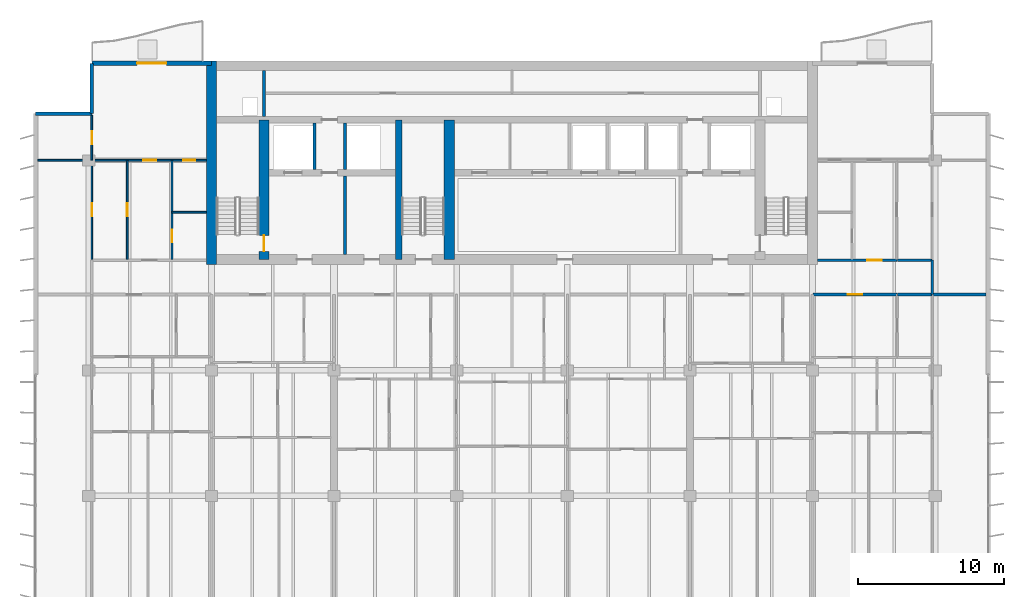
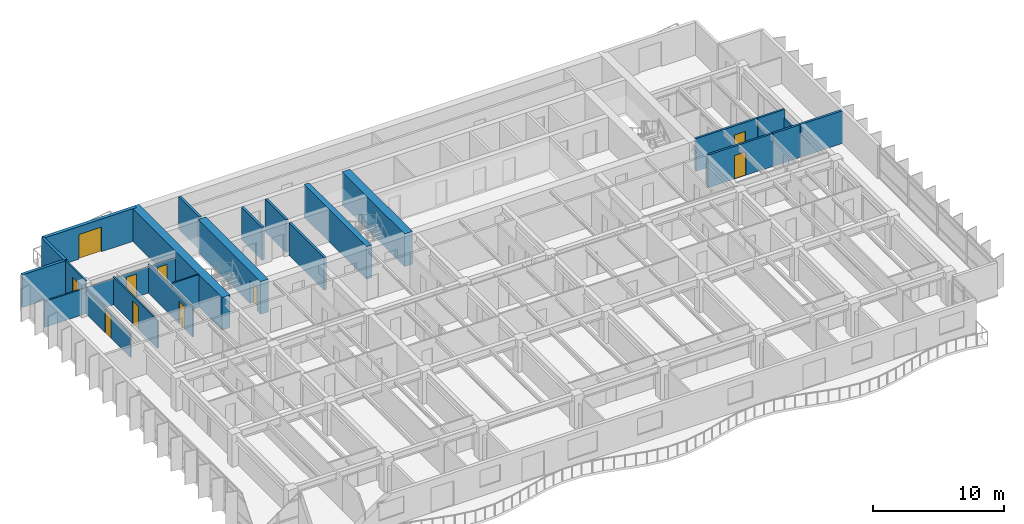
# One storey, part 12 of 18: 23 walls, 10 doors, 10 openings.
"""IFC4 building model written with IfcOpenShell, lengths in metres."""

import ifcopenshell
import ifcopenshell.guid

model = None  # the IFC model being written
_history = None  # IfcOwnerHistory: only IFC2X3 demands one
_inside = {}  # id of a spatial element -> (the spatial element, [elements in it])
_under = {}  # id of a project, library or spatial element -> (it, [spatial elements below it])
_declared = {}  # id of a project -> (the project, [libraries it declares])
_typed = {}  # id of a type object -> (the type object, [elements of that type])
_made_of = {}  # id of a material, layer set ... -> (it, [elements and type objects made of it])


def new_model(schema):
    """Start an empty IFC model of exactly this schema.

    Asked for "IFC4X3", IfcOpenShell would pick the latest addendum, in which some entities
    have other attributes; the version numbers below select the first issue.
    IFC2X3 requires an IfcOwnerHistory on every rooted entity: one is made here for all.
    """
    global model, _history
    if schema == "IFC4X3":
        model = ifcopenshell.file(schema_version=(4, 3, 0, 0))
    else:
        model = ifcopenshell.file(schema=schema)
    _inside.clear()
    _under.clear()
    _declared.clear()
    _typed.clear()
    _made_of.clear()
    _history = None
    if model.schema == "IFC2X3":
        org = make("IfcOrganization", Name="unknown")
        user = make(
            "IfcPersonAndOrganization",
            ThePerson=make("IfcPerson", FamilyName="unknown"),
            TheOrganization=org,
        )
        app = make(
            "IfcApplication",
            ApplicationDeveloper=org,
            Version="unknown",
            ApplicationFullName="unknown",
            ApplicationIdentifier="unknown",
        )
        _history = make(
            "IfcOwnerHistory",
            OwningUser=user,
            OwningApplication=app,
            ChangeAction="ADDED",
            CreationDate=0,
        )
    return model


def make(cls, **values):
    """One entity of the class cls with the attributes given. An attribute that is None is left unset."""
    return model.create_entity(
        cls, **{name: value for name, value in values.items() if value is not None}
    )


def rooted(cls, **values):
    """An entity with a GlobalId (a new one), such as an element, a storey or a relation."""
    return make(cls, GlobalId=ifcopenshell.guid.new(), OwnerHistory=_history, **values)


def si_unit(unit_type, name, prefix=None):
    """IfcSIUnit, for example si_unit("LENGTHUNIT", "METRE", prefix="MILLI")."""
    return make("IfcSIUnit", UnitType=unit_type, Prefix=prefix, Name=name)


def assignment(units):
    """IfcUnitAssignment: the units of a project."""
    return None if units is None else make("IfcUnitAssignment", Units=units)


def point(xyz):
    """IfcCartesianPoint."""
    return None if xyz is None else make("IfcCartesianPoint", Coordinates=xyz)


def direction(xyz):
    """IfcDirection."""
    return None if xyz is None else make("IfcDirection", DirectionRatios=xyz)


def frame(location, z_axis=None, x_axis=None):
    """IfcAxis2Placement3D, a coordinate frame: its origin and axes. An axis left out is left unset."""
    return make(
        "IfcAxis2Placement3D",
        Location=point(location),
        Axis=direction(z_axis),
        RefDirection=direction(x_axis),
    )


def frame_2d(location, x_axis=None):
    """IfcAxis2Placement2D, a coordinate frame in the plane: its origin and x axis."""
    return make(
        "IfcAxis2Placement2D", Location=point(location), RefDirection=direction(x_axis)
    )


def origin():
    """The frame at (0, 0, 0) with its axes left unset."""
    return frame((0.0, 0.0, 0.0))


def place(relative_to, where):
    """IfcLocalPlacement: puts the frame where relative to a parent placement (None: the world)."""
    return make(
        "IfcLocalPlacement", PlacementRelTo=relative_to, RelativePlacement=where
    )


def context(
    kind, dimensions, precision=None, world=None, true_north=None, identifier=None
):
    """IfcGeometricRepresentationContext, for example the 3D "Model" context."""
    return make(
        "IfcGeometricRepresentationContext",
        ContextIdentifier=identifier,
        ContextType=kind,
        CoordinateSpaceDimension=dimensions,
        Precision=precision,
        WorldCoordinateSystem=world,
        TrueNorth=true_north,
    )


def subcontext(parent, identifier, kind, view, scale=None):
    """IfcGeometricRepresentationSubContext, for example "Body" below "Model"."""
    return make(
        "IfcGeometricRepresentationSubContext",
        ContextIdentifier=identifier,
        ContextType=kind,
        ParentContext=parent,
        TargetScale=scale,
        TargetView=view,
    )


def project(units=None, contexts=None):
    """IfcProject with its units and contexts."""
    return rooted(
        "IfcProject",
        Name="project",
        RepresentationContexts=contexts,
        UnitsInContext=assignment(units),
    )


def spatial(cls, under=None, at=None, **own):
    """A site, building, storey or space (cls), placed at a placement, below another one or the project."""
    s = rooted(cls, ObjectPlacement=at, **own)
    if under is not None:
        _under.setdefault(under.id(), (under, []))[1].append(s)
    return s


def profile(cls, at=None, kind="AREA", **sizes):
    """A parametric profile (cls). Its sizes go by their IFC names, for example OverallWidth=200.0."""
    return make(cls, ProfileType=kind, Position=at, **sizes)


def rectangle(**sizes):
    """IfcRectangleProfileDef."""
    return profile("IfcRectangleProfileDef", **sizes)


def extrude(swept, where, along, depth):
    """IfcExtrudedAreaSolid: the profile swept, set in the frame where, extruded along a direction by depth."""
    return make(
        "IfcExtrudedAreaSolid",
        SweptArea=swept,
        Position=where,
        ExtrudedDirection=direction(along),
        Depth=depth,
    )


def shape(context_of_items, identifier, shape_type, items):
    """IfcShapeRepresentation: the items that make up one representation, for example the "Body"."""
    return make(
        "IfcShapeRepresentation",
        ContextOfItems=context_of_items,
        RepresentationIdentifier=identifier,
        RepresentationType=shape_type,
        Items=items,
    )


def material(Name=None, Category=None):
    """IfcMaterial."""
    return make("IfcMaterial", Name=Name, Category=Category)


def layer(
    of_material, thickness, ventilated=None, Name=None, Category=None, Priority=None
):
    """IfcMaterialLayer: one layer of a wall or slab, of a material (None: an air gap)."""
    return make(
        "IfcMaterialLayer",
        Material=of_material,
        LayerThickness=thickness,
        IsVentilated=ventilated,
        Name=Name,
        Category=Category,
        Priority=Priority,
    )


def layer_set(layers, Name=None):
    """IfcMaterialLayerSet."""
    return make("IfcMaterialLayerSet", MaterialLayers=layers, LayerSetName=Name)


def made_of(thing, what):
    """Note that an element or type object is made of a material, layer set ...; save() writes the relation."""
    if what is not None:
        _made_of.setdefault(what.id(), (what, []))[1].append(thing)
    return thing


def type_object(cls, material=None, **own):
    """A type object (cls), such as IfcWallType, which elements share."""
    return made_of(rooted(cls, **own), material)


def element(
    cls,
    number,
    at=None,
    inside=None,
    cuts=None,
    type_object=None,
    material=None,
    context=None,
    identifier="Body",
    shape_type=None,
    held_by="IfcProductDefinitionShape",
    body=None,
    shapes=None,
    **own,
):
    """One element of the class cls, such as IfcWall. Its Tag is "e" and its number.

    at: its placement. inside: the storey or other place that contains it. cuts: it is an
    opening in that element (IfcRelVoidsElement). A single representation is given by context,
    identifier, shape_type and body (its items); several are given by shapes. held_by: the class
    of the entity that holds the representations. save() writes the other relations.
    """
    e = rooted(cls, Tag="e%d" % number, ObjectPlacement=at, **own)
    if body is not None:
        shapes = [shape(context, identifier, shape_type, body)]
    if shapes is not None:
        e.Representation = make(held_by, Representations=shapes)
    if inside is not None:
        _inside.setdefault(inside.id(), (inside, []))[1].append(e)
    if cuts is not None:
        rooted(
            "IfcRelVoidsElement", RelatingBuildingElement=cuts, RelatedOpeningElement=e
        )
    if type_object is not None:
        _typed.setdefault(type_object.id(), (type_object, []))[1].append(e)
    return made_of(e, material)


def fill(opening, filler):
    """IfcRelFillsElement: the door or window that sits in an opening."""
    return rooted(
        "IfcRelFillsElement",
        RelatingOpeningElement=opening,
        RelatedBuildingElement=filler,
    )


def aggregate(whole, parts):
    """IfcRelAggregates: a whole, such as a stair, and the parts it consists of."""
    return rooted("IfcRelAggregates", RelatingObject=whole, RelatedObjects=parts)


def save(model, path):
    """Write the relations noted so far, then the file.

    IfcRelAggregates (storeys below a building ...), IfcRelContainedInSpatialStructure (elements
    in a storey), IfcRelDefinesByType, IfcRelAssociatesMaterial and IfcRelDeclares: one each for
    every whole, place, type object, material and project.
    """
    for whole, parts in _under.values():
        aggregate(whole, parts)
    for where, things in _inside.values():
        rooted(
            "IfcRelContainedInSpatialStructure",
            RelatedElements=things,
            RelatingStructure=where,
        )
    for kind, things in _typed.values():
        rooted("IfcRelDefinesByType", RelatedObjects=things, RelatingType=kind)
    for what, things in _made_of.values():
        rooted("IfcRelAssociatesMaterial", RelatedObjects=things, RelatingMaterial=what)
    for by, libraries in _declared.values():
        rooted("IfcRelDeclares", RelatingContext=by, RelatedDefinitions=libraries)
    model.write(path)


model = new_model("IFC4")

# Units and contexts
model_context = context("Model", 3, precision=1e-05, world=origin(), true_north=direction((0.0, 1.0)))
body_context = subcontext(model_context, "Body", "Model", "MODEL_VIEW")
ifc_project = project(units=[si_unit("LENGTHUNIT", "METRE"), si_unit("AREAUNIT", "SQUARE_METRE"), si_unit("VOLUMEUNIT", "CUBIC_METRE"), si_unit("PLANEANGLEUNIT", "RADIAN"), si_unit("MASSUNIT", "GRAM", prefix="KILO")], contexts=[model_context])

# Site, building, storey
site_placement = place(None, origin())
site = spatial("IfcSite", under=ifc_project, at=site_placement, CompositionType="ELEMENT")
building_placement = place(site_placement, origin())
building = spatial("IfcBuilding", under=site, at=building_placement, Name="Caelmar Bay Residences", CompositionType="ELEMENT")
storey_placement = place(building_placement, frame((0.0, 0.0, 173.699951171875)))
storey = spatial("IfcBuildingStorey", under=building, at=storey_placement, Name="L48", CompositionType="ELEMENT", Elevation=173.699951171875)

# Wall
ifc_material_1 = material(Name="Concrete f'c 55 MPa (8,000 psi)", Category="concrete")
ifc_layer_1 = layer(ifc_material_1, 0.699951171875)
ifc_layer_set_1 = layer_set([ifc_layer_1], Name="Concrete f'c 55 MPa (8,000 psi)")
wall_type_1 = type_object("IfcWallType", Name="SW-COR-700", PredefinedType="SHEAR", material=ifc_layer_set_1)
wall_1_placement = place(storey_placement, frame((18.300048828125, 36.64990234375, 0.0), z_axis=(0.0, 0.0, 1.0), x_axis=(0.0, 1.0, 0.0)))
element("IfcWall", 1, at=wall_1_placement, inside=storey, type_object=wall_type_1, Name="L48 Rear Core West Shear Wall", PredefinedType="SHEAR", context=body_context, shape_type="SweptSolid", body=[
    extrude(rectangle(XDim=13.9501953125, YDim=0.699951171875, at=frame_2d((6.97509765625, 0.0))), origin(), (0.0, 0.0, 1.0), 3.050048828125),
])

# Wall, opening, door
wall_2_placement = place(storey_placement, frame((21.89990234375, 37.0, 0.0), z_axis=(0.0, 0.0, 1.0), x_axis=(0.0, 1.0, 0.0)))
wall_2 = element("IfcWall", 2, at=wall_2_placement, inside=storey, type_object=wall_type_1, Name="L48 Core Structural Web Wall ST1E", PredefinedType="SHEAR", context=body_context, shape_type="SweptSolid", body=[
    extrude(rectangle(XDim=9.574951171875, YDim=0.699951171875, at=frame_2d((4.78759765625, 0.0))), origin(), (0.0, 0.0, 1.0), 3.050048828125),
])
opening_1_placement = place(wall_2_placement, frame((0.550048828125, 0.0, 0.0)))
opening_1 = element("IfcOpeningElement", 3, at=opening_1_placement, cuts=wall_2, Name="Opening D-L48-107", PredefinedType="OPENING", context=body_context, shape_type="SweptSolid", body=[
    extrude(rectangle(XDim=1.10009765625, YDim=2.14990234375, at=frame_2d((0.550048828125, 1.074951171875))), frame((0.0, 0.35986328125, 0.0), z_axis=(0.0, -1.0, 0.0), x_axis=(1.0, 0.0, 0.0)), (0.0, 0.0, 1.0), 0.719970703125),
])
ifc_material_2 = material(Name="Fire-rated steel and walnut architectural door assembly", Category="steel")
ifc_layer_2 = layer(ifc_material_2, 0.050048828125)
ifc_layer_set_2 = layer_set([ifc_layer_2], Name="Fire-rated steel and walnut architectural door assembly")
door_type_1 = type_object("IfcDoorType", Name="D-STAIR-1100", OperationType="NOTDEFINED", PredefinedType="DOOR", material=ifc_layer_set_2)
door_1_placement = place(opening_1_placement, origin())
door_1 = element("IfcDoor", 4, at=door_1_placement, inside=storey, type_object=door_type_1, Name="L48 Firefighting Lobby West Door", OperationType="SINGLE_SWING_RIGHT", OverallHeight=2.14990234375, OverallWidth=1.10009765625, PredefinedType="DOOR", context=body_context, shape_type="SweptSolid", body=[
    extrude(rectangle(XDim=1.10009765625, YDim=2.14990234375, at=frame_2d((0.550048828125, 1.074951171875))), frame((0.0, 0.02490234375, 0.0), z_axis=(0.0, -1.0, 0.0), x_axis=(1.0, 0.0, 0.0)), (0.0, 0.0, 1.0), 0.050048828125),
])
fill(opening_1, door_1)

# Walls
wall_3_placement = place(storey_placement, frame((34.60009765625, 37.0, 0.0), z_axis=(0.0, 0.0, 1.0), x_axis=(0.0, 1.0, 0.0)))
element("IfcWall", 5, at=wall_3_placement, inside=storey, type_object=wall_type_1, Name="L48 Core Structural Web Wall ST3E", PredefinedType="SHEAR", context=body_context, shape_type="SweptSolid", body=[
    extrude(rectangle(XDim=9.574951171875, YDim=0.699951171875, at=frame_2d((4.78759765625, 0.0))), origin(), (0.0, 0.0, 1.0), 3.050048828125),
])
ifc_material_3 = material(Name="Concrete f'c 70 MPa (10,000 psi)", Category="concrete")
ifc_layer_3 = layer(ifc_material_3, 0.449951171875)
ifc_layer_set_3 = layer_set([ifc_layer_3], Name="Concrete f'c 70 MPa (10,000 psi)")
wall_type_2 = type_object("IfcWallType", Name="SW-WEB-450", PredefinedType="SHEAR", material=ifc_layer_set_3)
wall_4_placement = place(storey_placement, frame((31.125, 37.0, 0.0), z_axis=(0.0, 0.0, 1.0), x_axis=(0.0, 1.0, 0.0)))
element("IfcWall", 6, at=wall_4_placement, inside=storey, type_object=wall_type_2, Name="L48 Core Structural Web Wall ST3W", PredefinedType="SHEAR", context=body_context, shape_type="SweptSolid", body=[
    extrude(rectangle(XDim=9.574951171875, YDim=0.449951171875, at=frame_2d((4.78759765625, 0.0))), origin(), (0.0, 0.0, 1.0), 3.050048828125),
])
ifc_material_4 = material(Name="Double-stud acoustic fire-rated gypsum partition 180 mm")
ifc_layer_4 = layer(ifc_material_4, 0.179931640625)
ifc_layer_set_4 = layer_set([ifc_layer_4], Name="Double-stud acoustic fire-rated gypsum partition 180 mm")
wall_type_3 = type_object("IfcWallType", Name="W-COR-200", PredefinedType="PARTITIONING", material=ifc_layer_set_4)
wall_5_placement = place(storey_placement, frame((67.699951171875, 34.60498046875, 0.0), z_axis=(0.0, 0.0, 1.0), x_axis=(0.0, 1.0, 0.0)))
element("IfcWall", 7, at=wall_5_placement, inside=storey, type_object=wall_type_3, Name="L48 Partition Wall V101", PredefinedType="PARTITIONING", context=body_context, shape_type="SweptSolid", body=[
    extrude(rectangle(XDim=2.344970703125, YDim=0.179931640625, at=frame_2d((1.17236328125, 0.0))), origin(), (0.0, 0.0, 1.0), 2.262939453125),
])

# Wall, opening, door
wall_6_placement = place(storey_placement, frame((59.550048828125, 34.60009765625, 0.0), z_axis=(0.0, 0.0, 1.0), x_axis=(1.0, 0.0, 0.0)))
wall_6 = element("IfcWall", 8, at=wall_6_placement, inside=storey, type_object=wall_type_3, Name="L48 Partition Wall H129", PredefinedType="PARTITIONING", context=body_context, shape_type="SweptSolid", body=[
    extrude(rectangle(XDim=5.72998046875, YDim=0.179931640625, at=frame_2d((2.864990234375, 0.0))), origin(), (0.0, 0.0, 1.0), 3.050048828125),
])
opening_2_placement = place(wall_6_placement, frame((2.364990234375, 0.0, 0.0)))
opening_2 = element("IfcOpeningElement", 9, at=opening_2_placement, cuts=wall_6, Name="Opening D-L48-156", PredefinedType="OPENING", context=body_context, shape_type="SweptSolid", body=[
    extrude(rectangle(XDim=1.0, YDim=2.199951171875, at=frame_2d((0.5, 1.10009765625))), frame((0.0, 0.099853515625, 0.0), z_axis=(0.0, -1.0, 0.0), x_axis=(1.0, 0.0, 0.0)), (0.0, 0.0, 1.0), 0.199951171875),
])
ifc_layer_5 = layer(ifc_material_2, 0.050048828125)
ifc_layer_set_5 = layer_set([ifc_layer_5], Name="Fire-rated steel and walnut architectural door assembly")
door_type_2 = type_object("IfcDoorType", Name="D-UNIT-1000", OperationType="NOTDEFINED", PredefinedType="DOOR", material=ifc_layer_set_5)
door_2_placement = place(opening_2_placement, origin())
door_2 = element("IfcDoor", 10, at=door_2_placement, inside=storey, type_object=door_type_2, Name="L48 Residence 05 Apartment Hall Door", OperationType="SINGLE_SWING_LEFT", OverallHeight=2.199951171875, OverallWidth=1.0, PredefinedType="DOOR", context=body_context, shape_type="SweptSolid", body=[
    extrude(rectangle(XDim=1.0, YDim=2.199951171875, at=frame_2d((0.5, 1.10009765625))), frame((0.0, 0.02490234375, 0.0), z_axis=(0.0, -1.0, 0.0), x_axis=(1.0, 0.0, 0.0)), (0.0, 0.0, 1.0), 0.050048828125),
])
fill(opening_2, door_2)

# Wall
wall_7_placement = place(storey_placement, frame((65.31591796875, 34.60009765625, 0.0), z_axis=(0.0, 0.0, 1.0), x_axis=(1.0, 0.0, 0.0)))
element("IfcWall", 11, at=wall_7_placement, inside=storey, type_object=wall_type_3, Name="L48 Partition Wall H130", PredefinedType="PARTITIONING", context=body_context, shape_type="SweptSolid", body=[
    extrude(rectangle(XDim=2.384033203125, YDim=0.179931640625, at=frame_2d((1.19189453125, 0.0))), origin(), (0.0, 0.0, 1.0), 3.050048828125),
])

# Wall, opening, door
wall_8_placement = place(storey_placement, frame((59.85498046875, 36.949951171875, 0.0), z_axis=(0.0, 0.0, 1.0), x_axis=(1.0, 0.0, 0.0)))
wall_8 = element("IfcWall", 12, at=wall_8_placement, inside=storey, type_object=wall_type_3, Name="L48 Partition Wall H133", PredefinedType="PARTITIONING", context=body_context, shape_type="SweptSolid", body=[
    extrude(rectangle(XDim=5.425048828125, YDim=0.179931640625, at=frame_2d((2.71240234375, 0.0))), origin(), (0.0, 0.0, 1.0), 3.050048828125),
])
opening_3_placement = place(wall_8_placement, frame((3.385009765625, 0.0, 0.0)))
opening_3 = element("IfcOpeningElement", 13, at=opening_3_placement, cuts=wall_8, Name="Opening D-L48-173", PredefinedType="OPENING", context=body_context, shape_type="SweptSolid", body=[
    extrude(rectangle(XDim=1.0, YDim=2.199951171875, at=frame_2d((0.5, 1.10009765625))), frame((0.0, 0.099853515625, 0.0), z_axis=(0.0, -1.0, 0.0), x_axis=(1.0, 0.0, 0.0)), (0.0, 0.0, 1.0), 0.199951171875),
])
door_3_placement = place(opening_3_placement, origin())
door_3 = element("IfcDoor", 14, at=door_3_placement, inside=storey, type_object=door_type_2, Name="L48 Residence EA Kitchen Door", OperationType="SINGLE_SWING_RIGHT", OverallHeight=2.199951171875, OverallWidth=1.0, PredefinedType="DOOR", context=body_context, shape_type="SweptSolid", body=[
    extrude(rectangle(XDim=1.0, YDim=2.199951171875, at=frame_2d((0.5, 1.10009765625))), frame((0.0, 0.02490234375, 0.0), z_axis=(0.0, -1.0, 0.0), x_axis=(1.0, 0.0, 0.0)), (0.0, 0.0, 1.0), 0.050048828125),
])
fill(opening_3, door_3)

# Walls
wall_9_placement = place(storey_placement, frame((65.31591796875, 36.949951171875, 0.0), z_axis=(0.0, 0.0, 1.0), x_axis=(1.0, 0.0, 0.0)))
element("IfcWall", 15, at=wall_9_placement, inside=storey, type_object=wall_type_3, Name="L48 Partition Wall H134", PredefinedType="PARTITIONING", context=body_context, shape_type="SweptSolid", body=[
    extrude(rectangle(XDim=2.384033203125, YDim=0.179931640625, at=frame_2d((1.19189453125, 0.0))), origin(), (0.0, 0.0, 1.0), 3.050048828125),
])
ifc_material_5 = material(Name="Precast concrete f'c 40 MPa (6,000 psi)", Category="concrete")
ifc_layer_6 = layer(ifc_material_5, 0.25)
ifc_layer_set_6 = layer_set([ifc_layer_6], Name="Precast concrete f'c 40 MPa (6,000 psi)")
wall_type_4 = type_object("IfcWallType", Name="W-EXT-250", PredefinedType="ELEMENTEDWALL", material=ifc_layer_set_6)
wall_10_placement = place(storey_placement, frame((6.25, 47.0, 0.0), z_axis=(0.0, 0.0, 1.0), x_axis=(1.0, 0.0, 0.0)))
element("IfcWall", 16, at=wall_10_placement, inside=storey, type_object=wall_type_4, Name="L48 NNW-H Notch Wall", PredefinedType="ELEMENTEDWALL", context=body_context, shape_type="SweptSolid", body=[
    extrude(rectangle(XDim=3.85009765625, YDim=0.25, at=frame_2d((1.925048828125, 0.0))), origin(), (0.0, 0.0, 1.0), 3.050048828125),
])
wall_11_placement = place(storey_placement, frame((10.10009765625, 47.0, 0.0), z_axis=(0.0, 0.0, 1.0), x_axis=(0.0, 1.0, 0.0)))
element("IfcWall", 17, at=wall_11_placement, inside=storey, type_object=wall_type_4, Name="L48 NNW-V Notch Wall", PredefinedType="ELEMENTEDWALL", context=body_context, shape_type="SweptSolid", body=[
    extrude(rectangle(XDim=3.449951171875, YDim=0.25, at=frame_2d((1.72509765625, 0.0))), origin(), (0.0, 0.0, 1.0), 3.050048828125),
])

# Wall, opening, door
ifc_layer_7 = layer(ifc_material_5, 0.300048828125)
ifc_layer_set_7 = layer_set([ifc_layer_7], Name="Precast concrete f'c 40 MPa (6,000 psi)")
wall_type_5 = type_object("IfcWallType", Name="W-EXT-300", PredefinedType="STANDARD", material=ifc_layer_set_7)
wall_12_placement = place(storey_placement, frame((10.10009765625, 50.449951171875, 0.0), z_axis=(0.0, 0.0, 1.0), x_axis=(1.0, 0.0, 0.0)))
wall_12 = element("IfcWall", 18, at=wall_12_placement, inside=storey, type_object=wall_type_5, Name="L48 North-West Wing Exterior Wall", PredefinedType="STANDARD", context=body_context, shape_type="SweptSolid", body=[
    extrude(rectangle(XDim=8.199951171875, YDim=0.300048828125, at=frame_2d((4.10009765625, 0.0))), origin(), (0.0, 0.0, 1.0), 3.050048828125),
])
opening_4_placement = place(wall_12_placement, frame((3.10009765625, 0.0, 0.0)))
opening_4 = element("IfcOpeningElement", 19, at=opening_4_placement, cuts=wall_12, Name="Opening L48-BDNW", PredefinedType="OPENING", context=body_context, shape_type="SweptSolid", body=[
    extrude(rectangle(XDim=2.0, YDim=2.300048828125, at=frame_2d((1.0, 1.14990234375))), frame((0.0, 0.159912109375, 0.0), z_axis=(0.0, -1.0, 0.0), x_axis=(1.0, 0.0, 0.0)), (0.0, 0.0, 1.0), 0.320068359375),
])
ifc_material_6 = material(Name="Anodised bronze thermally broken sliding glass door", Category="glass")
ifc_layer_8 = layer(ifc_material_6, 0.050048828125)
ifc_layer_set_8 = layer_set([ifc_layer_8], Name="Anodised bronze thermally broken sliding glass door")
door_type_3 = type_object("IfcDoorType", Name="D-BAL-2000", OperationType="DOUBLE_DOOR_SLIDING", PredefinedType="DOOR", material=ifc_layer_set_8)
door_4_placement = place(opening_4_placement, origin())
door_4 = element("IfcDoor", 20, at=door_4_placement, inside=storey, type_object=door_type_3, Name="L48 North-West Balcony Door", OperationType="DOUBLE_DOOR_SLIDING", OverallHeight=2.300048828125, OverallWidth=2.0, PredefinedType="DOOR", context=body_context, shape_type="SweptSolid", body=[
    extrude(rectangle(XDim=2.0, YDim=2.300048828125, at=frame_2d((1.0, 1.14990234375))), frame((0.0, 0.02490234375, 0.0), z_axis=(0.0, -1.0, 0.0), x_axis=(1.0, 0.0, 0.0)), (0.0, 0.0, 1.0), 0.050048828125),
])
fill(opening_4, door_4)

# Walls
ifc_material_7 = material(Name="Fire-rated masonry and gypsum shaftliner assembly 200 mm", Category="masonry")
ifc_layer_9 = layer(ifc_material_7, 0.199951171875)
ifc_layer_set_9 = layer_set([ifc_layer_9], Name="Fire-rated masonry and gypsum shaftliner assembly 200 mm")
wall_type_6 = type_object("IfcWallType", Name="W-FSAE-200", PredefinedType="PARTITIONING", material=ifc_layer_set_9)
wall_13_placement = place(storey_placement, frame((21.89990234375, 46.794921875, 0.0), z_axis=(0.0, 0.0, 1.0), x_axis=(0.0, 1.0, 0.0)))
element("IfcWall", 21, at=wall_13_placement, inside=storey, type_object=wall_type_6, Name="L48 Partition Wall V023", PredefinedType="PARTITIONING", context=body_context, shape_type="SweptSolid", body=[
    extrude(rectangle(XDim=3.16015625, YDim=0.199951171875, at=frame_2d((1.580078125, 0.0))), origin(), (0.0, 0.0, 1.0), 3.050048828125),
])
wall_14_placement = place(storey_placement, frame((25.35009765625, 43.169921875, 0.0), z_axis=(0.0, 0.0, 1.0), x_axis=(0.0, 1.0, 0.0)))
element("IfcWall", 22, at=wall_14_placement, inside=storey, type_object=wall_type_6, Name="L48 Partition Wall V030", PredefinedType="PARTITIONING", context=body_context, shape_type="SweptSolid", body=[
    extrude(rectangle(XDim=3.18505859375, YDim=0.199951171875, at=frame_2d((1.592529296875, 0.0))), origin(), (0.0, 0.0, 1.0), 3.050048828125),
])
wall_15_placement = place(storey_placement, frame((27.449951171875, 37.344970703125, 0.0), z_axis=(0.0, 0.0, 1.0), x_axis=(0.0, 1.0, 0.0)))
element("IfcWall", 23, at=wall_15_placement, inside=storey, type_object=wall_type_6, Name="L48 Partition Wall V036", PredefinedType="PARTITIONING", context=body_context, shape_type="SweptSolid", body=[
    extrude(rectangle(XDim=5.385009765625, YDim=0.199951171875, at=frame_2d((2.6923828125, 0.0))), origin(), (0.0, 0.0, 1.0), 3.050048828125),
])
wall_16_placement = place(storey_placement, frame((27.449951171875, 43.169921875, 0.0), z_axis=(0.0, 0.0, 1.0), x_axis=(0.0, 1.0, 0.0)))
element("IfcWall", 24, at=wall_16_placement, inside=storey, type_object=wall_type_6, Name="L48 Partition Wall V037", PredefinedType="PARTITIONING", context=body_context, shape_type="SweptSolid", body=[
    extrude(rectangle(XDim=3.18505859375, YDim=0.199951171875, at=frame_2d((1.592529296875, 0.0))), origin(), (0.0, 0.0, 1.0), 3.050048828125),
])

# Wall, opening, door
ifc_material_8 = material(Name="Anodised bronze framed acoustic sliding study partition 100 mm")
ifc_layer_10 = layer(ifc_material_8, 0.10009765625)
ifc_layer_set_10 = layer_set([ifc_layer_10], Name="Anodised bronze framed acoustic sliding study partition 100 mm")
wall_type_7 = type_object("IfcWallType", Name="W-MOV-100", PredefinedType="MOVABLE", material=ifc_layer_set_10)
wall_17_placement = place(storey_placement, frame((10.10009765625, 37.0, 0.0), z_axis=(0.0, 0.0, 1.0), x_axis=(0.0, 1.0, 0.0)))
wall_17 = element("IfcWall", 25, at=wall_17_placement, inside=storey, type_object=wall_type_7, Name="L48 Partition Wall V007", PredefinedType="MOVABLE", context=body_context, shape_type="SweptSolid", body=[
    extrude(rectangle(XDim=6.800048828125, YDim=0.10009765625, at=frame_2d((3.39990234375, 0.0))), origin(), (0.0, 0.0, 1.0), 2.262939453125),
])
opening_5_placement = place(wall_17_placement, frame((2.949951171875, 0.0, 0.0)))
opening_5 = element("IfcOpeningElement", 26, at=opening_5_placement, cuts=wall_17, Name="Opening D-L48-170", PredefinedType="OPENING", context=body_context, shape_type="SweptSolid", body=[
    extrude(rectangle(XDim=0.89990234375, YDim=2.14990234375, at=frame_2d((0.449951171875, 1.074951171875))), frame((0.0, 0.06005859375, 0.0), z_axis=(0.0, -1.0, 0.0), x_axis=(1.0, 0.0, 0.0)), (0.0, 0.0, 1.0), 0.1201171875),
])
ifc_material_9 = material(Name="Solid walnut timber interior door leaf and frame", Category="wood")
ifc_layer_11 = layer(ifc_material_9, 0.050048828125)
ifc_layer_set_11 = layer_set([ifc_layer_11], Name="Solid walnut timber interior door leaf and frame")
door_type_4 = type_object("IfcDoorType", Name="D-ROOM-900", OperationType="NOTDEFINED", PredefinedType="DOOR", material=ifc_layer_set_11)
door_5_placement = place(opening_5_placement, origin())
door_5 = element("IfcDoor", 27, at=door_5_placement, inside=storey, type_object=door_type_4, Name="L48 Residence WA Sun Study Door", OperationType="SINGLE_SWING_LEFT", OverallHeight=2.14990234375, OverallWidth=0.89990234375, PredefinedType="DOOR", context=body_context, shape_type="SweptSolid", body=[
    extrude(rectangle(XDim=0.89990234375, YDim=2.14990234375, at=frame_2d((0.449951171875, 1.074951171875))), frame((0.0, 0.02490234375, 0.0), z_axis=(0.0, -1.0, 0.0), x_axis=(1.0, 0.0, 0.0)), (0.0, 0.0, 1.0), 0.050048828125),
])
fill(opening_5, door_5)

ifc_material_10 = material(Name="Acoustic metal-stud gypsum partition 120 mm")
ifc_layer_12 = layer(ifc_material_10, 0.1201171875)
ifc_layer_set_12 = layer_set([ifc_layer_12], Name="Acoustic metal-stud gypsum partition 120 mm")
wall_type_8 = type_object("IfcWallType", Name="W-PRT-120", PredefinedType="PARTITIONING", material=ifc_layer_set_12)
wall_18_placement = place(storey_placement, frame((10.10009765625, 43.804931640625, 0.0), z_axis=(0.0, 0.0, 1.0), x_axis=(0.0, 1.0, 0.0)))
wall_18 = element("IfcWall", 28, at=wall_18_placement, inside=storey, type_object=wall_type_8, Name="L48 Partition Wall V008", PredefinedType="PARTITIONING", context=body_context, shape_type="SweptSolid", body=[
    extrude(rectangle(XDim=3.074951171875, YDim=0.1201171875, at=frame_2d((1.53759765625, 0.0))), origin(), (0.0, 0.0, 1.0), 3.050048828125),
])
opening_6_placement = place(wall_18_placement, frame((1.08740234375, 0.0, 0.0)))
opening_6 = element("IfcOpeningElement", 29, at=opening_6_placement, cuts=wall_18, Name="Opening D-L48-171", PredefinedType="OPENING", context=body_context, shape_type="SweptSolid", body=[
    extrude(rectangle(XDim=0.89990234375, YDim=2.14990234375, at=frame_2d((0.449951171875, 1.074951171875))), frame((0.0, 0.070068359375, 0.0), z_axis=(0.0, -1.0, 0.0), x_axis=(1.0, 0.0, 0.0)), (0.0, 0.0, 1.0), 0.14013671875),
])
door_6_placement = place(opening_6_placement, origin())
door_6 = element("IfcDoor", 30, at=door_6_placement, inside=storey, type_object=door_type_4, Name="L48 Residence WA North Sitting Alcove Door", OperationType="SINGLE_SWING_RIGHT", OverallHeight=2.14990234375, OverallWidth=0.89990234375, PredefinedType="DOOR", context=body_context, shape_type="SweptSolid", body=[
    extrude(rectangle(XDim=0.89990234375, YDim=2.14990234375, at=frame_2d((0.449951171875, 1.074951171875))), frame((0.0, 0.02490234375, 0.0), z_axis=(0.0, -1.0, 0.0), x_axis=(1.0, 0.0, 0.0)), (0.0, 0.0, 1.0), 0.050048828125),
])
fill(opening_6, door_6)

wall_19_placement = place(storey_placement, frame((12.52001953125, 37.0, 0.0), z_axis=(0.0, 0.0, 1.0), x_axis=(0.0, 1.0, 0.0)))
wall_19 = element("IfcWall", 31, at=wall_19_placement, inside=storey, type_object=wall_type_8, Name="L48 Partition Wall V009", PredefinedType="PARTITIONING", context=body_context, shape_type="SweptSolid", body=[
    extrude(rectangle(XDim=6.800048828125, YDim=0.1201171875, at=frame_2d((3.39990234375, 0.0))), origin(), (0.0, 0.0, 1.0), 2.578125),
])
opening_7_placement = place(wall_19_placement, frame((2.949951171875, 0.0, 0.0)))
opening_7 = element("IfcOpeningElement", 32, at=opening_7_placement, cuts=wall_19, Name="Opening D-L48-165", PredefinedType="OPENING", context=body_context, shape_type="SweptSolid", body=[
    extrude(rectangle(XDim=0.89990234375, YDim=2.14990234375, at=frame_2d((0.449951171875, 1.074951171875))), frame((0.0, 0.070068359375, 0.0), z_axis=(0.0, -1.0, 0.0), x_axis=(1.0, 0.0, 0.0)), (0.0, 0.0, 1.0), 0.14013671875),
])
door_7_placement = place(opening_7_placement, origin())
door_7 = element("IfcDoor", 33, at=door_7_placement, inside=storey, type_object=door_type_4, Name="L48 Residence WA Dining Room Door", OperationType="SINGLE_SWING_RIGHT", OverallHeight=2.14990234375, OverallWidth=0.89990234375, PredefinedType="DOOR", context=body_context, shape_type="SweptSolid", body=[
    extrude(rectangle(XDim=0.89990234375, YDim=2.14990234375, at=frame_2d((0.449951171875, 1.074951171875))), frame((0.0, 0.02490234375, 0.0), z_axis=(0.0, -1.0, 0.0), x_axis=(1.0, 0.0, 0.0)), (0.0, 0.0, 1.0), 0.050048828125),
])
fill(opening_7, door_7)

wall_20_placement = place(storey_placement, frame((15.60009765625, 37.0, 0.0), z_axis=(0.0, 0.0, 1.0), x_axis=(0.0, 1.0, 0.0)))
wall_20 = element("IfcWall", 34, at=wall_20_placement, inside=storey, type_object=wall_type_8, Name="L48 Partition Wall V015", PredefinedType="PARTITIONING", context=body_context, shape_type="SweptSolid", body=[
    extrude(rectangle(XDim=6.800048828125, YDim=0.1201171875, at=frame_2d((3.39990234375, 0.0))), origin(), (0.0, 0.0, 1.0), 2.678955078125),
])
opening_8_placement = place(wall_20_placement, frame((1.194091796875, 0.0, 0.0)))
opening_8 = element("IfcOpeningElement", 35, at=opening_8_placement, cuts=wall_20, Name="Opening D-L48-168", PredefinedType="OPENING", context=body_context, shape_type="SweptSolid", body=[
    extrude(rectangle(XDim=0.85009765625, YDim=2.10009765625, at=frame_2d((0.425048828125, 1.050048828125))), frame((0.0, 0.070068359375, 0.0), z_axis=(0.0, -1.0, 0.0), x_axis=(1.0, 0.0, 0.0)), (0.0, 0.0, 1.0), 0.14013671875),
])
ifc_layer_13 = layer(ifc_material_9, 0.050048828125)
ifc_layer_set_13 = layer_set([ifc_layer_13], Name="Solid walnut timber interior door leaf and frame")
door_type_5 = type_object("IfcDoorType", Name="D-BATH-850", OperationType="NOTDEFINED", PredefinedType="DOOR", material=ifc_layer_set_13)
door_8_placement = place(opening_8_placement, origin())
door_8 = element("IfcDoor", 36, at=door_8_placement, inside=storey, type_object=door_type_5, Name="L48 Residence WA Walk-In Closet Door", OperationType="SINGLE_SWING_LEFT", OverallHeight=2.10009765625, OverallWidth=0.85009765625, PredefinedType="DOOR", context=body_context, shape_type="SweptSolid", body=[
    extrude(rectangle(XDim=0.85009765625, YDim=2.10009765625, at=frame_2d((0.425048828125, 1.050048828125))), frame((0.0, 0.02490234375, 0.0), z_axis=(0.0, -1.0, 0.0), x_axis=(1.0, 0.0, 0.0)), (0.0, 0.0, 1.0), 0.050048828125),
])
fill(opening_8, door_8)

# Wall
wall_21_placement = place(storey_placement, frame((15.60009765625, 40.238037109375, 0.0), z_axis=(0.0, 0.0, 1.0), x_axis=(1.0, 0.0, 0.0)))
element("IfcWall", 37, at=wall_21_placement, inside=storey, type_object=wall_type_8, Name="L48 Partition Wall H135", PredefinedType="PARTITIONING", context=body_context, shape_type="SweptSolid", body=[
    extrude(rectangle(XDim=2.35498046875, YDim=0.1201171875, at=frame_2d((1.177490234375, 0.0))), origin(), (0.0, 0.0, 1.0), 3.050048828125),
])

# Wall, openings, doors
wall_22_placement = place(storey_placement, frame((6.39501953125, 43.800048828125, 0.0), z_axis=(0.0, 0.0, 1.0), x_axis=(1.0, 0.0, 0.0)))
wall_22 = element("IfcWall", 38, at=wall_22_placement, inside=storey, type_object=wall_type_8, Name="L48 Partition Wall H137", PredefinedType="PARTITIONING", context=body_context, shape_type="SweptSolid", body=[
    extrude(rectangle(XDim=11.56005859375, YDim=0.1201171875, at=frame_2d((5.780029296875, 0.0))), origin(), (0.0, 0.0, 1.0), 2.41796875),
])
opening_9_placement = place(wall_22_placement, frame((7.215087890625, 0.0, 0.0)))
opening_9 = element("IfcOpeningElement", 39, at=opening_9_placement, cuts=wall_22, Name="Opening D-L48-167", PredefinedType="OPENING", context=body_context, shape_type="SweptSolid", body=[
    extrude(rectangle(XDim=0.89990234375, YDim=2.14990234375, at=frame_2d((0.449951171875, 1.074951171875))), frame((0.0, 0.070068359375, 0.0), z_axis=(0.0, -1.0, 0.0), x_axis=(1.0, 0.0, 0.0)), (0.0, 0.0, 1.0), 0.14013671875),
])
opening_10_placement = place(wall_22_placement, frame((9.95751953125, 0.0, 0.0)))
opening_10 = element("IfcOpeningElement", 40, at=opening_10_placement, cuts=wall_22, Name="Opening D-L48-169", PredefinedType="OPENING", context=body_context, shape_type="SweptSolid", body=[
    extrude(rectangle(XDim=0.85009765625, YDim=2.10009765625, at=frame_2d((0.425048828125, 1.050048828125))), frame((0.0, 0.070068359375, 0.0), z_axis=(0.0, -1.0, 0.0), x_axis=(1.0, 0.0, 0.0)), (0.0, 0.0, 1.0), 0.14013671875),
])
door_9_placement = place(opening_10_placement, origin())
door_9 = element("IfcDoor", 41, at=door_9_placement, inside=storey, type_object=door_type_5, Name="L48 Residence WA Bathroom Door", OperationType="SINGLE_SWING_RIGHT", OverallHeight=2.10009765625, OverallWidth=0.85009765625, PredefinedType="DOOR", context=body_context, shape_type="SweptSolid", body=[
    extrude(rectangle(XDim=0.85009765625, YDim=2.10009765625, at=frame_2d((0.425048828125, 1.050048828125))), frame((0.0, 0.02490234375, 0.0), z_axis=(0.0, -1.0, 0.0), x_axis=(1.0, 0.0, 0.0)), (0.0, 0.0, 1.0), 0.050048828125),
])
fill(opening_10, door_9)
door_10_placement = place(opening_9_placement, origin())
door_10 = element("IfcDoor", 42, at=door_10_placement, inside=storey, type_object=door_type_4, Name="L48 Residence WA Studio Living and Sleeping Room Door", OperationType="SINGLE_SWING_RIGHT", OverallHeight=2.14990234375, OverallWidth=0.89990234375, PredefinedType="DOOR", context=body_context, shape_type="SweptSolid", body=[
    extrude(rectangle(XDim=0.89990234375, YDim=2.14990234375, at=frame_2d((0.449951171875, 1.074951171875))), frame((0.0, 0.02490234375, 0.0), z_axis=(0.0, -1.0, 0.0), x_axis=(1.0, 0.0, 0.0)), (0.0, 0.0, 1.0), 0.050048828125),
])
fill(opening_9, door_10)

# Wall
ifc_material_11 = material(Name="Acoustic twin-stud fire-rated inter-tenancy partition 200 mm")
ifc_layer_14 = layer(ifc_material_11, 0.199951171875)
ifc_layer_set_14 = layer_set([ifc_layer_14], Name="Acoustic twin-stud fire-rated inter-tenancy partition 200 mm")
wall_type_9 = type_object("IfcWallType", Name="W-PTY-200", PredefinedType="PARTITIONING", material=ifc_layer_set_14)
wall_23_placement = place(storey_placement, frame((67.705078125, 34.60009765625, 0.0), z_axis=(0.0, 0.0, 1.0), x_axis=(1.0, 0.0, 0.0)))
element("IfcWall", 43, at=wall_23_placement, inside=storey, type_object=wall_type_9, Name="L48 Partition Wall H131", PredefinedType="PARTITIONING", context=body_context, shape_type="SweptSolid", body=[
    extrude(rectangle(XDim=3.699951171875, YDim=0.199951171875, at=frame_2d((1.85009765625, 0.0))), origin(), (0.0, 0.0, 1.0), 3.050048828125),
])

save(model, "model.ifc")
